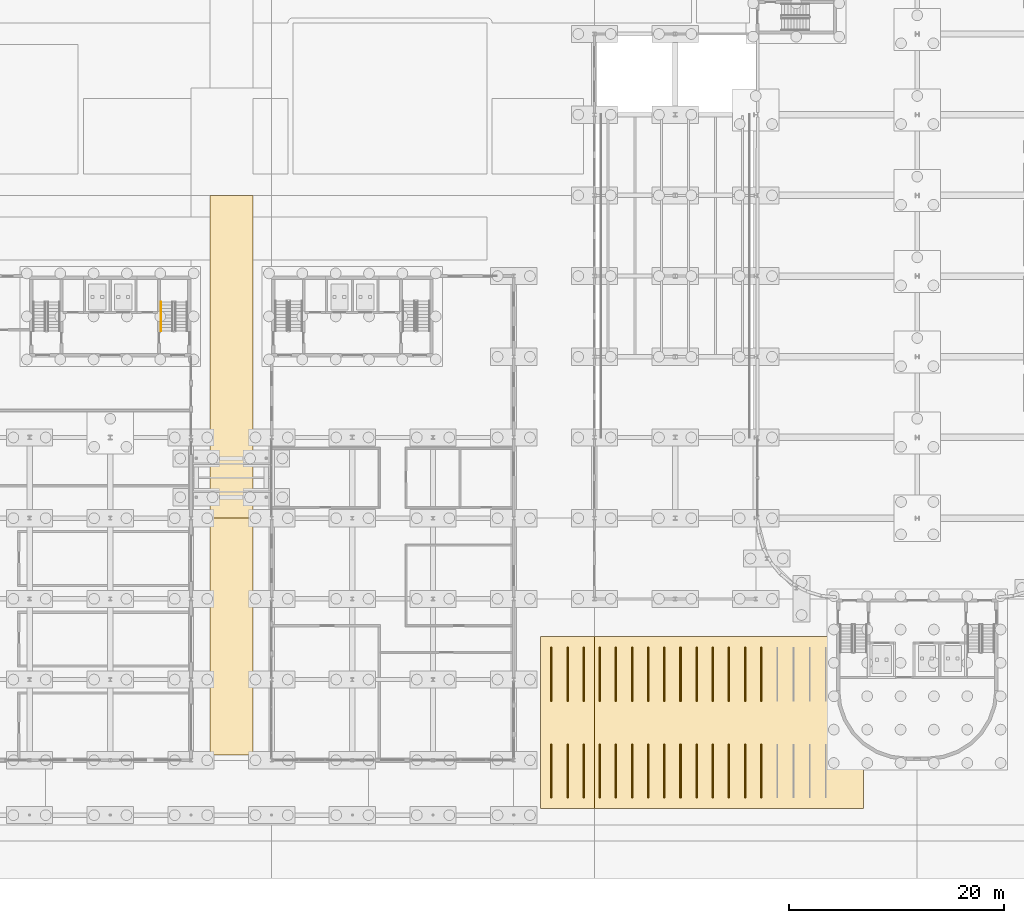
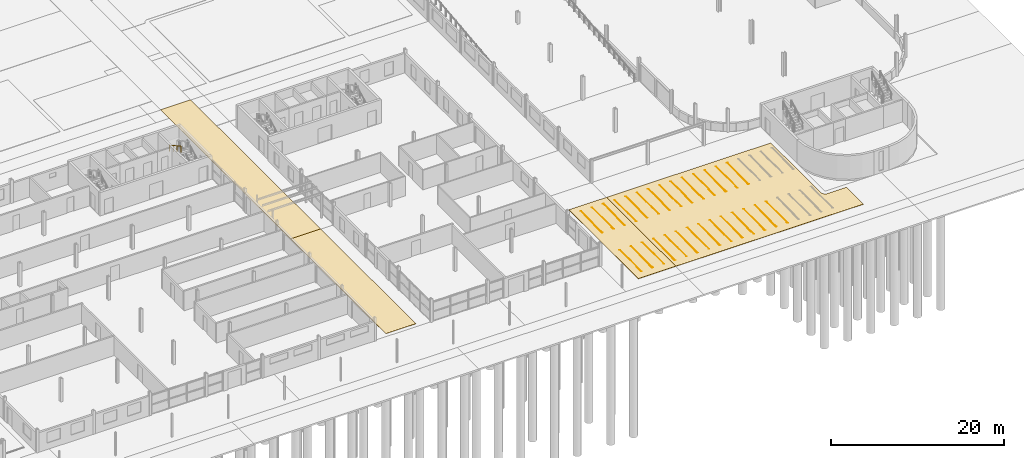
# One storey, part 117 of 130: 32 coverings, 1 railing.
"""IFC4 building model written with IfcOpenShell, lengths in metres."""

import ifcopenshell
import ifcopenshell.guid

model = None  # the IFC model being written
_history = None  # IfcOwnerHistory: only IFC2X3 demands one
_inside = {}  # id of a spatial element -> (the spatial element, [elements in it])
_under = {}  # id of a project, library or spatial element -> (it, [spatial elements below it])
_declared = {}  # id of a project -> (the project, [libraries it declares])
_typed = {}  # id of a type object -> (the type object, [elements of that type])
_made_of = {}  # id of a material, layer set ... -> (it, [elements and type objects made of it])


def new_model(schema):
    """Start an empty IFC model of exactly this schema.

    Asked for "IFC4X3", IfcOpenShell would pick the latest addendum, in which some entities
    have other attributes; the version numbers below select the first issue.
    IFC2X3 requires an IfcOwnerHistory on every rooted entity: one is made here for all.
    """
    global model, _history
    if schema == "IFC4X3":
        model = ifcopenshell.file(schema_version=(4, 3, 0, 0))
    else:
        model = ifcopenshell.file(schema=schema)
    _inside.clear()
    _under.clear()
    _declared.clear()
    _typed.clear()
    _made_of.clear()
    _history = None
    if model.schema == "IFC2X3":
        org = make("IfcOrganization", Name="unknown")
        user = make(
            "IfcPersonAndOrganization",
            ThePerson=make("IfcPerson", FamilyName="unknown"),
            TheOrganization=org,
        )
        app = make(
            "IfcApplication",
            ApplicationDeveloper=org,
            Version="unknown",
            ApplicationFullName="unknown",
            ApplicationIdentifier="unknown",
        )
        _history = make(
            "IfcOwnerHistory",
            OwningUser=user,
            OwningApplication=app,
            ChangeAction="ADDED",
            CreationDate=0,
        )
    return model


def make(cls, **values):
    """One entity of the class cls with the attributes given. An attribute that is None is left unset."""
    return model.create_entity(
        cls, **{name: value for name, value in values.items() if value is not None}
    )


def rooted(cls, **values):
    """An entity with a GlobalId (a new one), such as an element, a storey or a relation."""
    return make(cls, GlobalId=ifcopenshell.guid.new(), OwnerHistory=_history, **values)


def si_unit(unit_type, name, prefix=None):
    """IfcSIUnit, for example si_unit("LENGTHUNIT", "METRE", prefix="MILLI")."""
    return make("IfcSIUnit", UnitType=unit_type, Prefix=prefix, Name=name)


def assignment(units):
    """IfcUnitAssignment: the units of a project."""
    return None if units is None else make("IfcUnitAssignment", Units=units)


def point(xyz):
    """IfcCartesianPoint."""
    return None if xyz is None else make("IfcCartesianPoint", Coordinates=xyz)


def direction(xyz):
    """IfcDirection."""
    return None if xyz is None else make("IfcDirection", DirectionRatios=xyz)


def frame(location, z_axis=None, x_axis=None):
    """IfcAxis2Placement3D, a coordinate frame: its origin and axes. An axis left out is left unset."""
    return make(
        "IfcAxis2Placement3D",
        Location=point(location),
        Axis=direction(z_axis),
        RefDirection=direction(x_axis),
    )


def frame_2d(location, x_axis=None):
    """IfcAxis2Placement2D, a coordinate frame in the plane: its origin and x axis."""
    return make(
        "IfcAxis2Placement2D", Location=point(location), RefDirection=direction(x_axis)
    )


def origin():
    """The frame at (0, 0, 0) with its axes left unset."""
    return frame((0.0, 0.0, 0.0))


def origin_2d():
    """The frame at (0, 0) in the plane with its x axis left unset."""
    return frame_2d((0.0, 0.0))


def place(relative_to, where):
    """IfcLocalPlacement: puts the frame where relative to a parent placement (None: the world)."""
    return make(
        "IfcLocalPlacement", PlacementRelTo=relative_to, RelativePlacement=where
    )


def context(
    kind, dimensions, precision=None, world=None, true_north=None, identifier=None
):
    """IfcGeometricRepresentationContext, for example the 3D "Model" context."""
    return make(
        "IfcGeometricRepresentationContext",
        ContextIdentifier=identifier,
        ContextType=kind,
        CoordinateSpaceDimension=dimensions,
        Precision=precision,
        WorldCoordinateSystem=world,
        TrueNorth=true_north,
    )


def subcontext(parent, identifier, kind, view, scale=None):
    """IfcGeometricRepresentationSubContext, for example "Body" below "Model"."""
    return make(
        "IfcGeometricRepresentationSubContext",
        ContextIdentifier=identifier,
        ContextType=kind,
        ParentContext=parent,
        TargetScale=scale,
        TargetView=view,
    )


def project(units=None, contexts=None):
    """IfcProject with its units and contexts."""
    return rooted(
        "IfcProject",
        Name="project",
        RepresentationContexts=contexts,
        UnitsInContext=assignment(units),
    )


def spatial(cls, under=None, at=None, **own):
    """A site, building, storey or space (cls), placed at a placement, below another one or the project."""
    s = rooted(cls, ObjectPlacement=at, **own)
    if under is not None:
        _under.setdefault(under.id(), (under, []))[1].append(s)
    return s


def polyline(points):
    """IfcPolyline through the points."""
    return make("IfcPolyline", Points=[point(p) for p in points])


def profile(cls, at=None, kind="AREA", **sizes):
    """A parametric profile (cls). Its sizes go by their IFC names, for example OverallWidth=200.0."""
    return make(cls, ProfileType=kind, Position=at, **sizes)


def circle(**sizes):
    """IfcCircleProfileDef."""
    return profile("IfcCircleProfileDef", **sizes)


def outline(outer, holes=None, kind="AREA"):
    """IfcArbitraryClosedProfileDef: a profile drawn as a closed curve; with holes, ...WithVoids."""
    if holes is None:
        return make("IfcArbitraryClosedProfileDef", ProfileType=kind, OuterCurve=outer)
    return make(
        "IfcArbitraryProfileDefWithVoids",
        ProfileType=kind,
        OuterCurve=outer,
        InnerCurves=holes,
    )


def extrude(swept, where, along, depth):
    """IfcExtrudedAreaSolid: the profile swept, set in the frame where, extruded along a direction by depth."""
    return make(
        "IfcExtrudedAreaSolid",
        SweptArea=swept,
        Position=where,
        ExtrudedDirection=direction(along),
        Depth=depth,
    )


def shape(context_of_items, identifier, shape_type, items):
    """IfcShapeRepresentation: the items that make up one representation, for example the "Body"."""
    return make(
        "IfcShapeRepresentation",
        ContextOfItems=context_of_items,
        RepresentationIdentifier=identifier,
        RepresentationType=shape_type,
        Items=items,
    )


def material(Name=None, Category=None):
    """IfcMaterial."""
    return make("IfcMaterial", Name=Name, Category=Category)


def layer(
    of_material, thickness, ventilated=None, Name=None, Category=None, Priority=None
):
    """IfcMaterialLayer: one layer of a wall or slab, of a material (None: an air gap)."""
    return make(
        "IfcMaterialLayer",
        Material=of_material,
        LayerThickness=thickness,
        IsVentilated=ventilated,
        Name=Name,
        Category=Category,
        Priority=Priority,
    )


def layer_set(layers, Name=None):
    """IfcMaterialLayerSet."""
    return make("IfcMaterialLayerSet", MaterialLayers=layers, LayerSetName=Name)


def made_of(thing, what):
    """Note that an element or type object is made of a material, layer set ...; save() writes the relation."""
    if what is not None:
        _made_of.setdefault(what.id(), (what, []))[1].append(thing)
    return thing


def type_object(cls, material=None, **own):
    """A type object (cls), such as IfcWallType, which elements share."""
    return made_of(rooted(cls, **own), material)


def element(
    cls,
    number,
    at=None,
    inside=None,
    cuts=None,
    type_object=None,
    material=None,
    context=None,
    identifier="Body",
    shape_type=None,
    held_by="IfcProductDefinitionShape",
    body=None,
    shapes=None,
    **own,
):
    """One element of the class cls, such as IfcWall. Its Tag is "e" and its number.

    at: its placement. inside: the storey or other place that contains it. cuts: it is an
    opening in that element (IfcRelVoidsElement). A single representation is given by context,
    identifier, shape_type and body (its items); several are given by shapes. held_by: the class
    of the entity that holds the representations. save() writes the other relations.
    """
    e = rooted(cls, Tag="e%d" % number, ObjectPlacement=at, **own)
    if body is not None:
        shapes = [shape(context, identifier, shape_type, body)]
    if shapes is not None:
        e.Representation = make(held_by, Representations=shapes)
    if inside is not None:
        _inside.setdefault(inside.id(), (inside, []))[1].append(e)
    if cuts is not None:
        rooted(
            "IfcRelVoidsElement", RelatingBuildingElement=cuts, RelatedOpeningElement=e
        )
    if type_object is not None:
        _typed.setdefault(type_object.id(), (type_object, []))[1].append(e)
    return made_of(e, material)


def aggregate(whole, parts):
    """IfcRelAggregates: a whole, such as a stair, and the parts it consists of."""
    return rooted("IfcRelAggregates", RelatingObject=whole, RelatedObjects=parts)


def save(model, path):
    """Write the relations noted so far, then the file.

    IfcRelAggregates (storeys below a building ...), IfcRelContainedInSpatialStructure (elements
    in a storey), IfcRelDefinesByType, IfcRelAssociatesMaterial and IfcRelDeclares: one each for
    every whole, place, type object, material and project.
    """
    for whole, parts in _under.values():
        aggregate(whole, parts)
    for where, things in _inside.values():
        rooted(
            "IfcRelContainedInSpatialStructure",
            RelatedElements=things,
            RelatingStructure=where,
        )
    for kind, things in _typed.values():
        rooted("IfcRelDefinesByType", RelatedObjects=things, RelatingType=kind)
    for what, things in _made_of.values():
        rooted("IfcRelAssociatesMaterial", RelatedObjects=things, RelatingMaterial=what)
    for by, libraries in _declared.values():
        rooted("IfcRelDeclares", RelatingContext=by, RelatedDefinitions=libraries)
    model.write(path)


model = new_model("IFC4")

# Units and contexts
model_context = context("Model", 3, precision=1e-05, world=origin(), true_north=direction((0.0, 1.0)))
body_context = subcontext(model_context, "Body", "Model", "MODEL_VIEW")
ifc_project = project(units=[si_unit("LENGTHUNIT", "METRE"), si_unit("AREAUNIT", "SQUARE_METRE"), si_unit("VOLUMEUNIT", "CUBIC_METRE"), si_unit("PLANEANGLEUNIT", "RADIAN"), si_unit("MASSUNIT", "GRAM", prefix="KILO")], contexts=[model_context])

# Site, building, storey
site_placement = place(None, origin())
site = spatial("IfcSite", under=ifc_project, at=site_placement, CompositionType="ELEMENT")
building_placement = place(site_placement, origin())
building = spatial("IfcBuilding", under=site, at=building_placement, Name="Parallax Yard Mobility Hub", CompositionType="ELEMENT")
storey_placement = place(building_placement, origin())
storey = spatial("IfcBuildingStorey", under=building, at=storey_placement, Name="L00", CompositionType="ELEMENT", Elevation=0.0)

# Coverings
ifc_material_1 = material(Name="Thermoplastic road marking")
ifc_layer_1 = layer(ifc_material_1, 0.0048828125)
ifc_layer_set_1 = layer_set([ifc_layer_1], Name="Bay marking strip 5")
covering_type_1 = type_object("IfcCoveringType", Name="Bay marking strip 5", PredefinedType="USERDEFINED", material=ifc_layer_set_1)
covering_1_placement = place(storey_placement, frame((0.0, 0.0, 0.0400390625)))
element("IfcCovering", 1, at=covering_1_placement, inside=storey, type_object=covering_type_1, Name="Cycle bay marking 1", ObjectType="ROAD MARKING", PredefinedType="USERDEFINED", context=body_context, shape_type="SweptSolid", body=[
    extrude(outline(polyline([(176.050048828125, 4.0), (176.050048828125, 9.0), (175.949951171875, 9.0), (175.949951171875, 4.0), (176.050048828125, 4.0)])), origin(), (0.0, 0.0, 1.0), 0.0048828125),
])
covering_2_placement = place(storey_placement, frame((0.0, 0.0, 0.0400390625)))
element("IfcCovering", 2, at=covering_2_placement, inside=storey, type_object=covering_type_1, Name="Cycle bay marking 2", ObjectType="ROAD MARKING", PredefinedType="USERDEFINED", context=body_context, shape_type="SweptSolid", body=[
    extrude(outline(polyline([(177.550048828125, 4.0), (177.550048828125, 9.0), (177.449951171875, 9.0), (177.449951171875, 4.0), (177.550048828125, 4.0)])), origin(), (0.0, 0.0, 1.0), 0.0048828125),
])
covering_3_placement = place(storey_placement, frame((0.0, 0.0, 0.0400390625)))
element("IfcCovering", 3, at=covering_3_placement, inside=storey, type_object=covering_type_1, Name="Cycle bay marking 3", ObjectType="ROAD MARKING", PredefinedType="USERDEFINED", context=body_context, shape_type="SweptSolid", body=[
    extrude(outline(polyline([(179.050048828125, 4.0), (179.050048828125, 9.0), (178.949951171875, 9.0), (178.949951171875, 4.0), (179.050048828125, 4.0)])), origin(), (0.0, 0.0, 1.0), 0.0048828125),
])
covering_4_placement = place(storey_placement, frame((0.0, 0.0, 0.0400390625)))
element("IfcCovering", 4, at=covering_4_placement, inside=storey, type_object=covering_type_1, Name="Cycle bay marking 4", ObjectType="ROAD MARKING", PredefinedType="USERDEFINED", context=body_context, shape_type="SweptSolid", body=[
    extrude(outline(polyline([(180.550048828125, 4.0), (180.550048828125, 9.0), (180.449951171875, 9.0), (180.449951171875, 4.0), (180.550048828125, 4.0)])), origin(), (0.0, 0.0, 1.0), 0.0048828125),
])
covering_5_placement = place(storey_placement, frame((0.0, 0.0, 0.0400390625)))
element("IfcCovering", 5, at=covering_5_placement, inside=storey, type_object=covering_type_1, Name="Cycle bay marking 5", ObjectType="ROAD MARKING", PredefinedType="USERDEFINED", context=body_context, shape_type="SweptSolid", body=[
    extrude(outline(polyline([(182.050048828125, 4.0), (182.050048828125, 9.0), (181.949951171875, 9.0), (181.949951171875, 4.0), (182.050048828125, 4.0)])), origin(), (0.0, 0.0, 1.0), 0.0048828125),
])
covering_6_placement = place(storey_placement, frame((0.0, 0.0, 0.0400390625)))
element("IfcCovering", 6, at=covering_6_placement, inside=storey, type_object=covering_type_1, Name="Cycle bay marking 6", ObjectType="ROAD MARKING", PredefinedType="USERDEFINED", context=body_context, shape_type="SweptSolid", body=[
    extrude(outline(polyline([(183.550048828125, 4.0), (183.550048828125, 9.0), (183.449951171875, 9.0), (183.449951171875, 4.0), (183.550048828125, 4.0)])), origin(), (0.0, 0.0, 1.0), 0.0048828125),
])
covering_7_placement = place(storey_placement, frame((0.0, 0.0, 0.0400390625)))
element("IfcCovering", 7, at=covering_7_placement, inside=storey, type_object=covering_type_1, Name="Cycle bay marking 7", ObjectType="ROAD MARKING", PredefinedType="USERDEFINED", context=body_context, shape_type="SweptSolid", body=[
    extrude(outline(polyline([(185.050048828125, 4.0), (185.050048828125, 9.0), (184.949951171875, 9.0), (184.949951171875, 4.0), (185.050048828125, 4.0)])), origin(), (0.0, 0.0, 1.0), 0.0048828125),
])
covering_8_placement = place(storey_placement, frame((0.0, 0.0, 0.0400390625)))
element("IfcCovering", 8, at=covering_8_placement, inside=storey, type_object=covering_type_1, Name="Cycle bay marking 8", ObjectType="ROAD MARKING", PredefinedType="USERDEFINED", context=body_context, shape_type="SweptSolid", body=[
    extrude(outline(polyline([(186.550048828125, 4.0), (186.550048828125, 9.0), (186.449951171875, 9.0), (186.449951171875, 4.0), (186.550048828125, 4.0)])), origin(), (0.0, 0.0, 1.0), 0.0048828125),
])
covering_9_placement = place(storey_placement, frame((0.0, 0.0, 0.0400390625)))
element("IfcCovering", 9, at=covering_9_placement, inside=storey, type_object=covering_type_1, Name="Cycle bay marking 9", ObjectType="ROAD MARKING", PredefinedType="USERDEFINED", context=body_context, shape_type="SweptSolid", body=[
    extrude(outline(polyline([(188.050048828125, 4.0), (188.050048828125, 9.0), (187.949951171875, 9.0), (187.949951171875, 4.0), (188.050048828125, 4.0)])), origin(), (0.0, 0.0, 1.0), 0.0048828125),
])
covering_10_placement = place(storey_placement, frame((0.0, 0.0, 0.0400390625)))
element("IfcCovering", 10, at=covering_10_placement, inside=storey, type_object=covering_type_1, Name="Cycle bay marking 10", ObjectType="ROAD MARKING", PredefinedType="USERDEFINED", context=body_context, shape_type="SweptSolid", body=[
    extrude(outline(polyline([(189.550048828125, 4.0), (189.550048828125, 9.0), (189.449951171875, 9.0), (189.449951171875, 4.0), (189.550048828125, 4.0)])), origin(), (0.0, 0.0, 1.0), 0.0048828125),
])
covering_11_placement = place(storey_placement, frame((0.0, 0.0, 0.0400390625)))
element("IfcCovering", 11, at=covering_11_placement, inside=storey, type_object=covering_type_1, Name="Cycle bay marking 11", ObjectType="ROAD MARKING", PredefinedType="USERDEFINED", context=body_context, shape_type="SweptSolid", body=[
    extrude(outline(polyline([(191.050048828125, 4.0), (191.050048828125, 9.0), (190.949951171875, 9.0), (190.949951171875, 4.0), (191.050048828125, 4.0)])), origin(), (0.0, 0.0, 1.0), 0.0048828125),
])
covering_12_placement = place(storey_placement, frame((0.0, 0.0, 0.0400390625)))
element("IfcCovering", 12, at=covering_12_placement, inside=storey, type_object=covering_type_1, Name="Cycle bay marking 12", ObjectType="ROAD MARKING", PredefinedType="USERDEFINED", context=body_context, shape_type="SweptSolid", body=[
    extrude(outline(polyline([(192.550048828125, 4.0), (192.550048828125, 9.0), (192.449951171875, 9.0), (192.449951171875, 4.0), (192.550048828125, 4.0)])), origin(), (0.0, 0.0, 1.0), 0.0048828125),
])
covering_13_placement = place(storey_placement, frame((0.0, 0.0, 0.0400390625)))
element("IfcCovering", 13, at=covering_13_placement, inside=storey, type_object=covering_type_1, Name="Cycle bay marking 13", ObjectType="ROAD MARKING", PredefinedType="USERDEFINED", context=body_context, shape_type="SweptSolid", body=[
    extrude(outline(polyline([(194.050048828125, 4.0), (194.050048828125, 9.0), (193.949951171875, 9.0), (193.949951171875, 4.0), (194.050048828125, 4.0)])), origin(), (0.0, 0.0, 1.0), 0.0048828125),
])
covering_14_placement = place(storey_placement, frame((0.0, 0.0, 0.0400390625)))
element("IfcCovering", 14, at=covering_14_placement, inside=storey, type_object=covering_type_1, Name="Cycle bay marking 14", ObjectType="ROAD MARKING", PredefinedType="USERDEFINED", context=body_context, shape_type="SweptSolid", body=[
    extrude(outline(polyline([(195.550048828125, 4.0), (195.550048828125, 9.0), (195.449951171875, 9.0), (195.449951171875, 4.0), (195.550048828125, 4.0)])), origin(), (0.0, 0.0, 1.0), 0.0048828125),
])
covering_15_placement = place(storey_placement, frame((0.0, 0.0, 0.0400390625)))
element("IfcCovering", 15, at=covering_15_placement, inside=storey, type_object=covering_type_1, Name="Cycle bay marking 20", ObjectType="ROAD MARKING", PredefinedType="USERDEFINED", context=body_context, shape_type="SweptSolid", body=[
    extrude(outline(polyline([(176.050048828125, 13.0), (176.050048828125, 18.0), (175.949951171875, 18.0), (175.949951171875, 13.0), (176.050048828125, 13.0)])), origin(), (0.0, 0.0, 1.0), 0.0048828125),
])
covering_16_placement = place(storey_placement, frame((0.0, 0.0, 0.0400390625)))
element("IfcCovering", 16, at=covering_16_placement, inside=storey, type_object=covering_type_1, Name="Cycle bay marking 21", ObjectType="ROAD MARKING", PredefinedType="USERDEFINED", context=body_context, shape_type="SweptSolid", body=[
    extrude(outline(polyline([(177.550048828125, 13.0), (177.550048828125, 18.0), (177.449951171875, 18.0), (177.449951171875, 13.0), (177.550048828125, 13.0)])), origin(), (0.0, 0.0, 1.0), 0.0048828125),
])
covering_17_placement = place(storey_placement, frame((0.0, 0.0, 0.0400390625)))
element("IfcCovering", 17, at=covering_17_placement, inside=storey, type_object=covering_type_1, Name="Cycle bay marking 22", ObjectType="ROAD MARKING", PredefinedType="USERDEFINED", context=body_context, shape_type="SweptSolid", body=[
    extrude(outline(polyline([(179.050048828125, 13.0), (179.050048828125, 18.0), (178.949951171875, 18.0), (178.949951171875, 13.0), (179.050048828125, 13.0)])), origin(), (0.0, 0.0, 1.0), 0.0048828125),
])
covering_18_placement = place(storey_placement, frame((0.0, 0.0, 0.0400390625)))
element("IfcCovering", 18, at=covering_18_placement, inside=storey, type_object=covering_type_1, Name="Cycle bay marking 23", ObjectType="ROAD MARKING", PredefinedType="USERDEFINED", context=body_context, shape_type="SweptSolid", body=[
    extrude(outline(polyline([(180.550048828125, 13.0), (180.550048828125, 18.0), (180.449951171875, 18.0), (180.449951171875, 13.0), (180.550048828125, 13.0)])), origin(), (0.0, 0.0, 1.0), 0.0048828125),
])
covering_19_placement = place(storey_placement, frame((0.0, 0.0, 0.0400390625)))
element("IfcCovering", 19, at=covering_19_placement, inside=storey, type_object=covering_type_1, Name="Cycle bay marking 24", ObjectType="ROAD MARKING", PredefinedType="USERDEFINED", context=body_context, shape_type="SweptSolid", body=[
    extrude(outline(polyline([(182.050048828125, 13.0), (182.050048828125, 18.0), (181.949951171875, 18.0), (181.949951171875, 13.0), (182.050048828125, 13.0)])), origin(), (0.0, 0.0, 1.0), 0.0048828125),
])
covering_20_placement = place(storey_placement, frame((0.0, 0.0, 0.0400390625)))
element("IfcCovering", 20, at=covering_20_placement, inside=storey, type_object=covering_type_1, Name="Cycle bay marking 25", ObjectType="ROAD MARKING", PredefinedType="USERDEFINED", context=body_context, shape_type="SweptSolid", body=[
    extrude(outline(polyline([(183.550048828125, 13.0), (183.550048828125, 18.0), (183.449951171875, 18.0), (183.449951171875, 13.0), (183.550048828125, 13.0)])), origin(), (0.0, 0.0, 1.0), 0.0048828125),
])
covering_21_placement = place(storey_placement, frame((0.0, 0.0, 0.0400390625)))
element("IfcCovering", 21, at=covering_21_placement, inside=storey, type_object=covering_type_1, Name="Cycle bay marking 26", ObjectType="ROAD MARKING", PredefinedType="USERDEFINED", context=body_context, shape_type="SweptSolid", body=[
    extrude(outline(polyline([(185.050048828125, 13.0), (185.050048828125, 18.0), (184.949951171875, 18.0), (184.949951171875, 13.0), (185.050048828125, 13.0)])), origin(), (0.0, 0.0, 1.0), 0.0048828125),
])
covering_22_placement = place(storey_placement, frame((0.0, 0.0, 0.0400390625)))
element("IfcCovering", 22, at=covering_22_placement, inside=storey, type_object=covering_type_1, Name="Cycle bay marking 27", ObjectType="ROAD MARKING", PredefinedType="USERDEFINED", context=body_context, shape_type="SweptSolid", body=[
    extrude(outline(polyline([(186.550048828125, 13.0), (186.550048828125, 18.0), (186.449951171875, 18.0), (186.449951171875, 13.0), (186.550048828125, 13.0)])), origin(), (0.0, 0.0, 1.0), 0.0048828125),
])
covering_23_placement = place(storey_placement, frame((0.0, 0.0, 0.0400390625)))
element("IfcCovering", 23, at=covering_23_placement, inside=storey, type_object=covering_type_1, Name="Cycle bay marking 28", ObjectType="ROAD MARKING", PredefinedType="USERDEFINED", context=body_context, shape_type="SweptSolid", body=[
    extrude(outline(polyline([(188.050048828125, 13.0), (188.050048828125, 18.0), (187.949951171875, 18.0), (187.949951171875, 13.0), (188.050048828125, 13.0)])), origin(), (0.0, 0.0, 1.0), 0.0048828125),
])
covering_24_placement = place(storey_placement, frame((0.0, 0.0, 0.0400390625)))
element("IfcCovering", 24, at=covering_24_placement, inside=storey, type_object=covering_type_1, Name="Cycle bay marking 29", ObjectType="ROAD MARKING", PredefinedType="USERDEFINED", context=body_context, shape_type="SweptSolid", body=[
    extrude(outline(polyline([(189.550048828125, 13.0), (189.550048828125, 18.0), (189.449951171875, 18.0), (189.449951171875, 13.0), (189.550048828125, 13.0)])), origin(), (0.0, 0.0, 1.0), 0.0048828125),
])
covering_25_placement = place(storey_placement, frame((0.0, 0.0, 0.0400390625)))
element("IfcCovering", 25, at=covering_25_placement, inside=storey, type_object=covering_type_1, Name="Cycle bay marking 30", ObjectType="ROAD MARKING", PredefinedType="USERDEFINED", context=body_context, shape_type="SweptSolid", body=[
    extrude(outline(polyline([(191.050048828125, 13.0), (191.050048828125, 18.0), (190.949951171875, 18.0), (190.949951171875, 13.0), (191.050048828125, 13.0)])), origin(), (0.0, 0.0, 1.0), 0.0048828125),
])
covering_26_placement = place(storey_placement, frame((0.0, 0.0, 0.0400390625)))
element("IfcCovering", 26, at=covering_26_placement, inside=storey, type_object=covering_type_1, Name="Cycle bay marking 31", ObjectType="ROAD MARKING", PredefinedType="USERDEFINED", context=body_context, shape_type="SweptSolid", body=[
    extrude(outline(polyline([(192.550048828125, 13.0), (192.550048828125, 18.0), (192.449951171875, 18.0), (192.449951171875, 13.0), (192.550048828125, 13.0)])), origin(), (0.0, 0.0, 1.0), 0.0048828125),
])
covering_27_placement = place(storey_placement, frame((0.0, 0.0, 0.0400390625)))
element("IfcCovering", 27, at=covering_27_placement, inside=storey, type_object=covering_type_1, Name="Cycle bay marking 32", ObjectType="ROAD MARKING", PredefinedType="USERDEFINED", context=body_context, shape_type="SweptSolid", body=[
    extrude(outline(polyline([(194.050048828125, 13.0), (194.050048828125, 18.0), (193.949951171875, 18.0), (193.949951171875, 13.0), (194.050048828125, 13.0)])), origin(), (0.0, 0.0, 1.0), 0.0048828125),
])
covering_28_placement = place(storey_placement, frame((0.0, 0.0, 0.0400390625)))
element("IfcCovering", 28, at=covering_28_placement, inside=storey, type_object=covering_type_1, Name="Cycle bay marking 33", ObjectType="ROAD MARKING", PredefinedType="USERDEFINED", context=body_context, shape_type="SweptSolid", body=[
    extrude(outline(polyline([(195.550048828125, 13.0), (195.550048828125, 18.0), (195.449951171875, 18.0), (195.449951171875, 13.0), (195.550048828125, 13.0)])), origin(), (0.0, 0.0, 1.0), 0.0048828125),
])
ifc_material_2 = material(Name="Concrete fc' 30 MPa", Category="concrete")
ifc_layer_2 = layer(ifc_material_2, 0.0400390625)
ifc_layer_set_2 = layer_set([ifc_layer_2], Name="Cycle apron surfacing, tinted Concrete fc' 30 MPa 40")
covering_type_2 = type_object("IfcCoveringType", Name="Cycle apron surfacing, tinted Concrete fc' 30 MPa 40", PredefinedType="USERDEFINED", material=ifc_layer_set_2)
covering_29_placement = place(storey_placement, origin())
element("IfcCovering", 29, at=covering_29_placement, inside=storey, type_object=covering_type_2, Name="Cycle apron surfacing 1", ObjectType="PAVING", PredefinedType="USERDEFINED", context=body_context, shape_type="SweptSolid", body=[
    extrude(outline(polyline([(175.0, 19.0), (180.0, 19.0), (180.0, 3.0), (175.0, 3.0), (175.0, 19.0)])), origin(), (0.0, 0.0, 1.0), 0.0400390625),
])
covering_30_placement = place(storey_placement, origin())
element("IfcCovering", 30, at=covering_30_placement, inside=storey, type_object=covering_type_2, Name="Cycle apron surfacing 2", ObjectType="PAVING", PredefinedType="USERDEFINED", context=body_context, shape_type="SweptSolid", body=[
    extrude(outline(polyline([(201.89990234375, 19.0), (201.89990234375, 7.5), (201.90283203125, 7.441162109375), (201.91162109375, 7.3828125), (201.92578125, 7.32568359375), (201.94580078125, 7.2705078125), (201.970703125, 7.21728515625), (202.001220703125, 7.166748046875), (202.0361328125, 7.119384765625), (202.07568359375, 7.07568359375), (202.119384765625, 7.0361328125), (202.166748046875, 7.001220703125), (202.21728515625, 6.970703125), (202.2705078125, 6.94580078125), (202.32568359375, 6.92578125), (202.3828125, 6.91162109375), (202.441162109375, 6.90283203125), (202.5, 6.89990234375), (205.0, 6.89990234375), (205.0, 3.0), (180.0, 3.0), (180.0, 19.0), (201.89990234375, 19.0)])), origin(), (0.0, 0.0, 1.0), 0.0400390625),
])
ifc_layer_3 = layer(ifc_material_2, 0.0400390625)
ifc_layer_set_3 = layer_set([ifc_layer_3], Name="Footway paving, Concrete fc' 30 MPa pavers 40")
covering_type_3 = type_object("IfcCoveringType", Name="Footway paving, Concrete fc' 30 MPa pavers 40", PredefinedType="USERDEFINED", material=ifc_layer_set_3)
covering_31_placement = place(storey_placement, origin())
element("IfcCovering", 31, at=covering_31_placement, inside=storey, type_object=covering_type_3, Name="Pedestrian spine surfacing 1", ObjectType="PAVING", PredefinedType="USERDEFINED", context=body_context, shape_type="SweptSolid", body=[
    extrude(outline(polyline([(148.25, 8.0), (144.25, 8.0), (144.25, 30.0), (148.25, 30.0), (148.25, 8.0)])), origin(), (0.0, 0.0, 1.0), 0.0400390625),
])
covering_32_placement = place(storey_placement, origin())
element("IfcCovering", 32, at=covering_32_placement, inside=storey, type_object=covering_type_3, Name="Pedestrian spine surfacing 2", ObjectType="PAVING", PredefinedType="USERDEFINED", context=body_context, shape_type="SweptSolid", body=[
    extrude(outline(polyline([(148.25, 30.0), (144.25, 30.0), (144.25, 60.0), (148.25, 60.0), (148.25, 30.0)])), origin(), (0.0, 0.0, 1.0), 0.0400390625),
])

# Railing
ifc_material_3 = material(Name="Steel ASTM A36", Category="steel")
railing_type = type_object("IfcRailingType", Name="Stair handrail", PredefinedType="HANDRAIL", material=ifc_material_3)
railing_placement = place(storey_placement, frame((139.699951171875, 50.10009765625, 1.81494140625)))
element("IfcRailing", 33, at=railing_placement, inside=storey, type_object=railing_type, Name="L00 ST14 stair handrail 2", PredefinedType="HANDRAIL", context=body_context, shape_type="SweptSolid", body=[
    extrude(circle(Radius=0.02392578125, at=origin_2d()), frame((0.0, 0.0, 0.8310546875), z_axis=(0.0, -0.876215908677, 0.481918749772), x_axis=(1.0, 0.0, 0.0)), (0.0, 0.0, 1.0), 3.08154296875),
    extrude(circle(Radius=0.02099609375, at=origin_2d()), origin(), (0.0, 0.0, 1.0), 0.806884765625),
    extrude(circle(Radius=0.02099609375, at=origin_2d()), frame((0.0, -0.900146484375, 0.4951171875)), (0.0, 0.0, 1.0), 0.806884765625),
    extrude(circle(Radius=0.02099609375, at=origin_2d()), frame((0.0, -1.800048828125, 0.989990234375)), (0.0, 0.0, 1.0), 0.806884765625),
    extrude(circle(Radius=0.02099609375, at=origin_2d()), frame((0.0, -2.7001953125, 1.485107421875)), (0.0, 0.0, 1.0), 0.806884765625),
])

save(model, "model.ifc")
